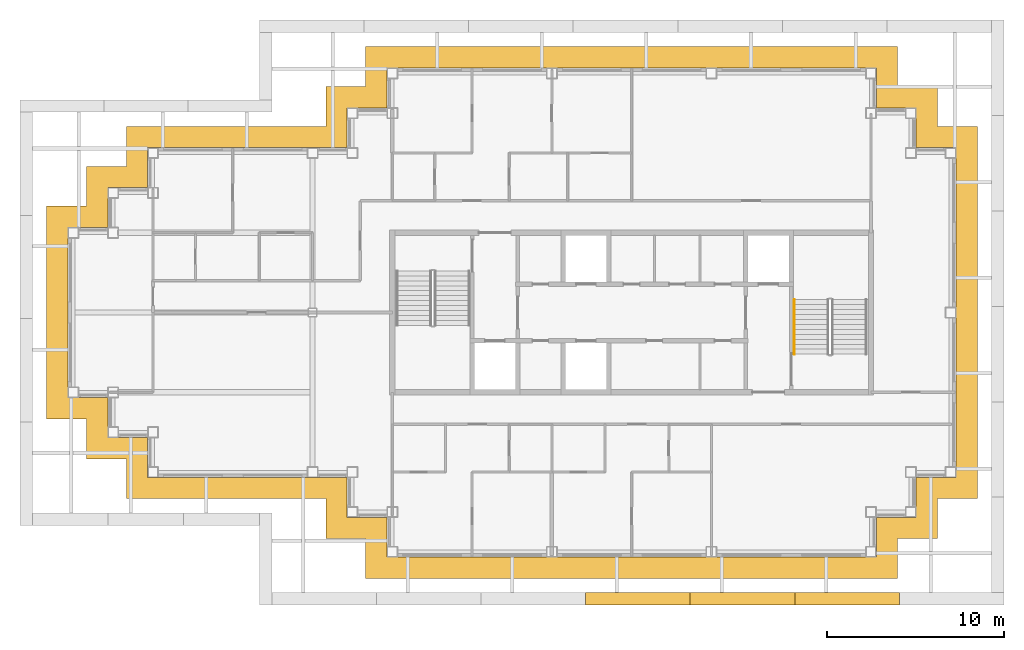
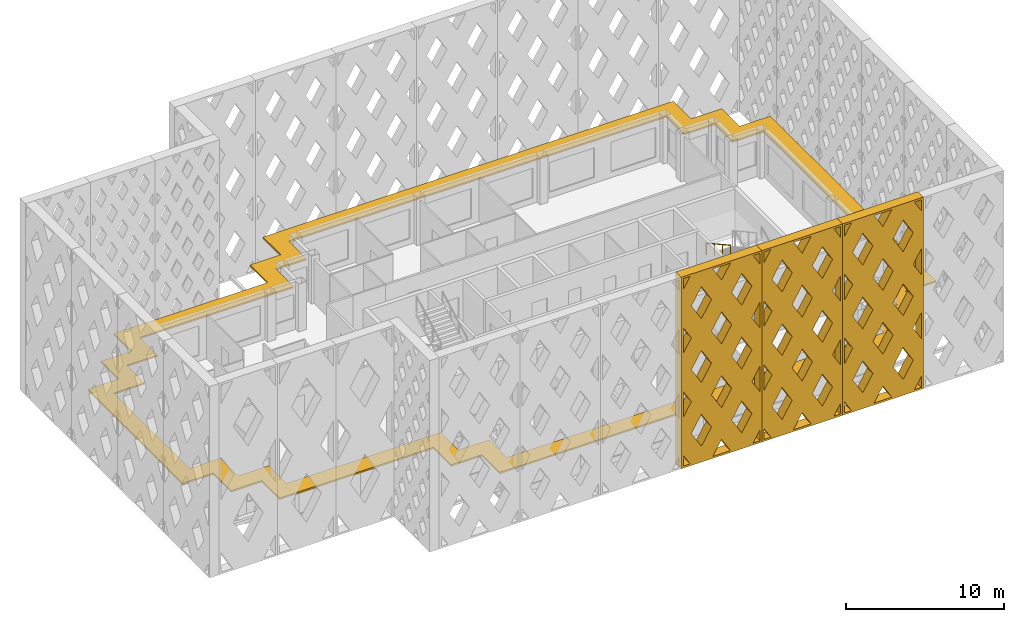
# One storey, part 12 of 15: 4 shading devices, 1 railing.
"""IFC4 building model written with IfcOpenShell, lengths in metres."""

import ifcopenshell
import ifcopenshell.guid

model = None  # the IFC model being written
_history = None  # IfcOwnerHistory: only IFC2X3 demands one
_inside = {}  # id of a spatial element -> (the spatial element, [elements in it])
_under = {}  # id of a project, library or spatial element -> (it, [spatial elements below it])
_declared = {}  # id of a project -> (the project, [libraries it declares])
_typed = {}  # id of a type object -> (the type object, [elements of that type])
_made_of = {}  # id of a material, layer set ... -> (it, [elements and type objects made of it])


def new_model(schema):
    """Start an empty IFC model of exactly this schema.

    Asked for "IFC4X3", IfcOpenShell would pick the latest addendum, in which some entities
    have other attributes; the version numbers below select the first issue.
    IFC2X3 requires an IfcOwnerHistory on every rooted entity: one is made here for all.
    """
    global model, _history
    if schema == "IFC4X3":
        model = ifcopenshell.file(schema_version=(4, 3, 0, 0))
    else:
        model = ifcopenshell.file(schema=schema)
    _inside.clear()
    _under.clear()
    _declared.clear()
    _typed.clear()
    _made_of.clear()
    _history = None
    if model.schema == "IFC2X3":
        org = make("IfcOrganization", Name="unknown")
        user = make(
            "IfcPersonAndOrganization",
            ThePerson=make("IfcPerson", FamilyName="unknown"),
            TheOrganization=org,
        )
        app = make(
            "IfcApplication",
            ApplicationDeveloper=org,
            Version="unknown",
            ApplicationFullName="unknown",
            ApplicationIdentifier="unknown",
        )
        _history = make(
            "IfcOwnerHistory",
            OwningUser=user,
            OwningApplication=app,
            ChangeAction="ADDED",
            CreationDate=0,
        )
    return model


def make(cls, **values):
    """One entity of the class cls with the attributes given. An attribute that is None is left unset."""
    return model.create_entity(
        cls, **{name: value for name, value in values.items() if value is not None}
    )


def rooted(cls, **values):
    """An entity with a GlobalId (a new one), such as an element, a storey or a relation."""
    return make(cls, GlobalId=ifcopenshell.guid.new(), OwnerHistory=_history, **values)


def si_unit(unit_type, name, prefix=None):
    """IfcSIUnit, for example si_unit("LENGTHUNIT", "METRE", prefix="MILLI")."""
    return make("IfcSIUnit", UnitType=unit_type, Prefix=prefix, Name=name)


def assignment(units):
    """IfcUnitAssignment: the units of a project."""
    return None if units is None else make("IfcUnitAssignment", Units=units)


def point(xyz):
    """IfcCartesianPoint."""
    return None if xyz is None else make("IfcCartesianPoint", Coordinates=xyz)


def direction(xyz):
    """IfcDirection."""
    return None if xyz is None else make("IfcDirection", DirectionRatios=xyz)


def frame(location, z_axis=None, x_axis=None):
    """IfcAxis2Placement3D, a coordinate frame: its origin and axes. An axis left out is left unset."""
    return make(
        "IfcAxis2Placement3D",
        Location=point(location),
        Axis=direction(z_axis),
        RefDirection=direction(x_axis),
    )


def frame_2d(location, x_axis=None):
    """IfcAxis2Placement2D, a coordinate frame in the plane: its origin and x axis."""
    return make(
        "IfcAxis2Placement2D", Location=point(location), RefDirection=direction(x_axis)
    )


def origin():
    """The frame at (0, 0, 0) with its axes left unset."""
    return frame((0.0, 0.0, 0.0))


def origin_2d():
    """The frame at (0, 0) in the plane with its x axis left unset."""
    return frame_2d((0.0, 0.0))


def place(relative_to, where):
    """IfcLocalPlacement: puts the frame where relative to a parent placement (None: the world)."""
    return make(
        "IfcLocalPlacement", PlacementRelTo=relative_to, RelativePlacement=where
    )


def context(
    kind, dimensions, precision=None, world=None, true_north=None, identifier=None
):
    """IfcGeometricRepresentationContext, for example the 3D "Model" context."""
    return make(
        "IfcGeometricRepresentationContext",
        ContextIdentifier=identifier,
        ContextType=kind,
        CoordinateSpaceDimension=dimensions,
        Precision=precision,
        WorldCoordinateSystem=world,
        TrueNorth=true_north,
    )


def subcontext(parent, identifier, kind, view, scale=None):
    """IfcGeometricRepresentationSubContext, for example "Body" below "Model"."""
    return make(
        "IfcGeometricRepresentationSubContext",
        ContextIdentifier=identifier,
        ContextType=kind,
        ParentContext=parent,
        TargetScale=scale,
        TargetView=view,
    )


def project(units=None, contexts=None):
    """IfcProject with its units and contexts."""
    return rooted(
        "IfcProject",
        Name="project",
        RepresentationContexts=contexts,
        UnitsInContext=assignment(units),
    )


def spatial(cls, under=None, at=None, **own):
    """A site, building, storey or space (cls), placed at a placement, below another one or the project."""
    s = rooted(cls, ObjectPlacement=at, **own)
    if under is not None:
        _under.setdefault(under.id(), (under, []))[1].append(s)
    return s


def polyline(points):
    """IfcPolyline through the points."""
    return make("IfcPolyline", Points=[point(p) for p in points])


def profile(cls, at=None, kind="AREA", **sizes):
    """A parametric profile (cls). Its sizes go by their IFC names, for example OverallWidth=200.0."""
    return make(cls, ProfileType=kind, Position=at, **sizes)


def circle(**sizes):
    """IfcCircleProfileDef."""
    return profile("IfcCircleProfileDef", **sizes)


def outline(outer, holes=None, kind="AREA"):
    """IfcArbitraryClosedProfileDef: a profile drawn as a closed curve; with holes, ...WithVoids."""
    if holes is None:
        return make("IfcArbitraryClosedProfileDef", ProfileType=kind, OuterCurve=outer)
    return make(
        "IfcArbitraryProfileDefWithVoids",
        ProfileType=kind,
        OuterCurve=outer,
        InnerCurves=holes,
    )


def extrude(swept, where, along, depth):
    """IfcExtrudedAreaSolid: the profile swept, set in the frame where, extruded along a direction by depth."""
    return make(
        "IfcExtrudedAreaSolid",
        SweptArea=swept,
        Position=where,
        ExtrudedDirection=direction(along),
        Depth=depth,
    )


def shape(context_of_items, identifier, shape_type, items):
    """IfcShapeRepresentation: the items that make up one representation, for example the "Body"."""
    return make(
        "IfcShapeRepresentation",
        ContextOfItems=context_of_items,
        RepresentationIdentifier=identifier,
        RepresentationType=shape_type,
        Items=items,
    )


def material(Name=None, Category=None):
    """IfcMaterial."""
    return make("IfcMaterial", Name=Name, Category=Category)


def layer(
    of_material, thickness, ventilated=None, Name=None, Category=None, Priority=None
):
    """IfcMaterialLayer: one layer of a wall or slab, of a material (None: an air gap)."""
    return make(
        "IfcMaterialLayer",
        Material=of_material,
        LayerThickness=thickness,
        IsVentilated=ventilated,
        Name=Name,
        Category=Category,
        Priority=Priority,
    )


def layer_set(layers, Name=None):
    """IfcMaterialLayerSet."""
    return make("IfcMaterialLayerSet", MaterialLayers=layers, LayerSetName=Name)


def made_of(thing, what):
    """Note that an element or type object is made of a material, layer set ...; save() writes the relation."""
    if what is not None:
        _made_of.setdefault(what.id(), (what, []))[1].append(thing)
    return thing


def type_object(cls, material=None, **own):
    """A type object (cls), such as IfcWallType, which elements share."""
    return made_of(rooted(cls, **own), material)


def element(
    cls,
    number,
    at=None,
    inside=None,
    cuts=None,
    type_object=None,
    material=None,
    context=None,
    identifier="Body",
    shape_type=None,
    held_by="IfcProductDefinitionShape",
    body=None,
    shapes=None,
    **own,
):
    """One element of the class cls, such as IfcWall. Its Tag is "e" and its number.

    at: its placement. inside: the storey or other place that contains it. cuts: it is an
    opening in that element (IfcRelVoidsElement). A single representation is given by context,
    identifier, shape_type and body (its items); several are given by shapes. held_by: the class
    of the entity that holds the representations. save() writes the other relations.
    """
    e = rooted(cls, Tag="e%d" % number, ObjectPlacement=at, **own)
    if body is not None:
        shapes = [shape(context, identifier, shape_type, body)]
    if shapes is not None:
        e.Representation = make(held_by, Representations=shapes)
    if inside is not None:
        _inside.setdefault(inside.id(), (inside, []))[1].append(e)
    if cuts is not None:
        rooted(
            "IfcRelVoidsElement", RelatingBuildingElement=cuts, RelatedOpeningElement=e
        )
    if type_object is not None:
        _typed.setdefault(type_object.id(), (type_object, []))[1].append(e)
    return made_of(e, material)


def aggregate(whole, parts):
    """IfcRelAggregates: a whole, such as a stair, and the parts it consists of."""
    return rooted("IfcRelAggregates", RelatingObject=whole, RelatedObjects=parts)


def save(model, path):
    """Write the relations noted so far, then the file.

    IfcRelAggregates (storeys below a building ...), IfcRelContainedInSpatialStructure (elements
    in a storey), IfcRelDefinesByType, IfcRelAssociatesMaterial and IfcRelDeclares: one each for
    every whole, place, type object, material and project.
    """
    for whole, parts in _under.values():
        aggregate(whole, parts)
    for where, things in _inside.values():
        rooted(
            "IfcRelContainedInSpatialStructure",
            RelatedElements=things,
            RelatingStructure=where,
        )
    for kind, things in _typed.values():
        rooted("IfcRelDefinesByType", RelatedObjects=things, RelatingType=kind)
    for what, things in _made_of.values():
        rooted("IfcRelAssociatesMaterial", RelatedObjects=things, RelatingMaterial=what)
    for by, libraries in _declared.values():
        rooted("IfcRelDeclares", RelatingContext=by, RelatedDefinitions=libraries)
    model.write(path)


model = new_model("IFC4")

# Units and contexts
model_context = context("Model", 3, precision=1e-05, world=origin(), true_north=direction((0.0, 1.0)))
body_context = subcontext(model_context, "Body", "Model", "MODEL_VIEW")
ifc_project = project(units=[si_unit("LENGTHUNIT", "METRE"), si_unit("AREAUNIT", "SQUARE_METRE"), si_unit("VOLUMEUNIT", "CUBIC_METRE"), si_unit("PLANEANGLEUNIT", "RADIAN"), si_unit("MASSUNIT", "GRAM", prefix="KILO")], contexts=[model_context])

# Site, building, storey
site_placement = place(None, origin())
site = spatial("IfcSite", under=ifc_project, at=site_placement, CompositionType="ELEMENT")
building_placement = place(site_placement, origin())
building = spatial("IfcBuilding", under=site, at=building_placement, Name="Caravel Reach Hotel and Residences", CompositionType="ELEMENT")
storey_placement = place(building_placement, frame((0.0, 0.0, 252.699951171875)))
storey = spatial("IfcBuildingStorey", under=building, at=storey_placement, Name="L64", CompositionType="ELEMENT", Elevation=252.699951171875)

# Shading devices
ifc_material_1 = material(Name="Black powder-coated aluminium", Category="aluminium")
shading_device_type_1 = type_object("IfcShadingDeviceType", Name="Diamond lattice screen panel 5900 x 14800", PredefinedType="USERDEFINED", material=ifc_material_1)
shading_device_1_placement = place(storey_placement, frame((28.89990234375, 11.199951171875, 0.0), z_axis=(0.0, -1.0, 0.0), x_axis=(1.0, 0.0, 0.0)))
element("IfcShadingDevice", 1, at=shading_device_1_placement, inside=storey, type_object=shading_device_type_1, Name="Lattice screen L64-L67 3.4", ObjectType="SCREEN", PredefinedType="USERDEFINED", context=body_context, shape_type="SweptSolid", body=[
    extrude(outline(polyline([(0.0, 0.0), (5.89990234375, 0.0), (5.89990234375, 14.800048828125), (0.0, 14.800048828125), (0.0, 0.0)]), holes=[polyline([(0.64990234375, 0.14990234375), (0.14990234375, 0.986083984375), (0.14990234375, 0.14990234375), (0.64990234375, 0.14990234375)]), polyline([(0.739501953125, 4.933349609375), (0.14990234375, 5.91943359375), (0.14990234375, 3.947265625), (0.739501953125, 4.933349609375)]), polyline([(0.739501953125, 9.86669921875), (0.14990234375, 10.852783203125), (0.14990234375, 8.880615234375), (0.739501953125, 9.86669921875)]), polyline([(0.14990234375, 13.81396484375), (0.64990234375, 14.64990234375), (0.14990234375, 14.64990234375), (0.14990234375, 13.81396484375)]), polyline([(1.47509765625, 3.70361328125), (0.7353515625, 2.466552734375), (1.47509765625, 1.229736328125), (2.214599609375, 2.466552734375), (1.47509765625, 3.70361328125)]), polyline([(1.47509765625, 8.636962890625), (0.7353515625, 7.39990234375), (1.47509765625, 6.1630859375), (2.214599609375, 7.39990234375), (1.47509765625, 8.636962890625)]), polyline([(1.47509765625, 13.570068359375), (0.7353515625, 12.333251953125), (1.47509765625, 11.096435546875), (2.214599609375, 12.333251953125), (1.47509765625, 13.570068359375)]), polyline([(2.949951171875, 1.23681640625), (2.300048828125, 0.14990234375), (3.599853515625, 0.14990234375), (2.949951171875, 1.23681640625)]), polyline([(2.949951171875, 6.170166015625), (2.21044921875, 4.933349609375), (2.949951171875, 3.696533203125), (3.689697265625, 4.933349609375), (2.949951171875, 6.170166015625)]), polyline([(2.949951171875, 11.103515625), (2.21044921875, 9.86669921875), (2.949951171875, 8.6298828125), (3.689697265625, 9.86669921875), (2.949951171875, 11.103515625)]), polyline([(2.949951171875, 13.563232421875), (3.599853515625, 14.64990234375), (2.300048828125, 14.64990234375), (2.949951171875, 13.563232421875)]), polyline([(4.425048828125, 3.70361328125), (3.685302734375, 2.466552734375), (4.425048828125, 1.229736328125), (5.16455078125, 2.466552734375), (4.425048828125, 3.70361328125)]), polyline([(4.425048828125, 8.636962890625), (3.685302734375, 7.39990234375), (4.425048828125, 6.1630859375), (5.16455078125, 7.39990234375), (4.425048828125, 8.636962890625)]), polyline([(4.425048828125, 13.570068359375), (3.685302734375, 12.333251953125), (4.425048828125, 11.096435546875), (5.16455078125, 12.333251953125), (4.425048828125, 13.570068359375)]), polyline([(5.75, 0.986083984375), (5.25, 0.14990234375), (5.75, 0.14990234375), (5.75, 0.986083984375)]), polyline([(5.160400390625, 4.933349609375), (5.75, 3.947265625), (5.75, 5.91943359375), (5.160400390625, 4.933349609375)]), polyline([(5.160400390625, 9.86669921875), (5.75, 8.880615234375), (5.75, 10.852783203125), (5.160400390625, 9.86669921875)]), polyline([(5.25, 14.64990234375), (5.75, 13.81396484375), (5.75, 14.64990234375), (5.25, 14.64990234375)])]), origin(), (0.0, 0.0, 1.0), 0.699951171875),
])
shading_device_2_placement = place(storey_placement, frame((34.800048828125, 11.199951171875, 0.0), z_axis=(0.0, -1.0, 0.0), x_axis=(1.0, 0.0, 0.0)))
element("IfcShadingDevice", 2, at=shading_device_2_placement, inside=storey, type_object=shading_device_type_1, Name="Lattice screen L64-L67 3.5", ObjectType="SCREEN", PredefinedType="USERDEFINED", context=body_context, shape_type="SweptSolid", body=[
    extrude(outline(polyline([(0.0, 0.0), (5.89990234375, 0.0), (5.89990234375, 14.800048828125), (0.0, 14.800048828125), (0.0, 0.0)]), holes=[polyline([(0.64990234375, 0.14990234375), (0.14990234375, 0.986083984375), (0.14990234375, 0.14990234375), (0.64990234375, 0.14990234375)]), polyline([(0.739501953125, 4.933349609375), (0.14990234375, 5.91943359375), (0.14990234375, 3.947265625), (0.739501953125, 4.933349609375)]), polyline([(0.739501953125, 9.86669921875), (0.14990234375, 10.852783203125), (0.14990234375, 8.880615234375), (0.739501953125, 9.86669921875)]), polyline([(0.14990234375, 13.81396484375), (0.64990234375, 14.64990234375), (0.14990234375, 14.64990234375), (0.14990234375, 13.81396484375)]), polyline([(1.47509765625, 3.70361328125), (0.7353515625, 2.466552734375), (1.47509765625, 1.229736328125), (2.214599609375, 2.466552734375), (1.47509765625, 3.70361328125)]), polyline([(1.47509765625, 8.636962890625), (0.7353515625, 7.39990234375), (1.47509765625, 6.1630859375), (2.214599609375, 7.39990234375), (1.47509765625, 8.636962890625)]), polyline([(1.47509765625, 13.570068359375), (0.7353515625, 12.333251953125), (1.47509765625, 11.096435546875), (2.214599609375, 12.333251953125), (1.47509765625, 13.570068359375)]), polyline([(2.949951171875, 1.23681640625), (2.300048828125, 0.14990234375), (3.599853515625, 0.14990234375), (2.949951171875, 1.23681640625)]), polyline([(2.949951171875, 6.170166015625), (2.21044921875, 4.933349609375), (2.949951171875, 3.696533203125), (3.689697265625, 4.933349609375), (2.949951171875, 6.170166015625)]), polyline([(2.949951171875, 11.103515625), (2.21044921875, 9.86669921875), (2.949951171875, 8.6298828125), (3.689697265625, 9.86669921875), (2.949951171875, 11.103515625)]), polyline([(2.949951171875, 13.563232421875), (3.599853515625, 14.64990234375), (2.300048828125, 14.64990234375), (2.949951171875, 13.563232421875)]), polyline([(4.425048828125, 3.70361328125), (3.685302734375, 2.466552734375), (4.425048828125, 1.229736328125), (5.16455078125, 2.466552734375), (4.425048828125, 3.70361328125)]), polyline([(4.425048828125, 8.636962890625), (3.685302734375, 7.39990234375), (4.425048828125, 6.1630859375), (5.16455078125, 7.39990234375), (4.425048828125, 8.636962890625)]), polyline([(4.425048828125, 13.570068359375), (3.685302734375, 12.333251953125), (4.425048828125, 11.096435546875), (5.16455078125, 12.333251953125), (4.425048828125, 13.570068359375)]), polyline([(5.75, 0.986083984375), (5.25, 0.14990234375), (5.75, 0.14990234375), (5.75, 0.986083984375)]), polyline([(5.160400390625, 4.933349609375), (5.75, 3.947265625), (5.75, 5.91943359375), (5.160400390625, 4.933349609375)]), polyline([(5.160400390625, 9.86669921875), (5.75, 8.880615234375), (5.75, 10.852783203125), (5.160400390625, 9.86669921875)]), polyline([(5.25, 14.64990234375), (5.75, 13.81396484375), (5.75, 14.64990234375), (5.25, 14.64990234375)])]), origin(), (0.0, 0.0, 1.0), 0.699951171875),
])
shading_device_3_placement = place(storey_placement, frame((40.699951171875, 11.199951171875, 0.0), z_axis=(0.0, -1.0, 0.0), x_axis=(1.0, 0.0, 0.0)))
element("IfcShadingDevice", 3, at=shading_device_3_placement, inside=storey, type_object=shading_device_type_1, Name="Lattice screen L64-L67 3.6", ObjectType="SCREEN", PredefinedType="USERDEFINED", context=body_context, shape_type="SweptSolid", body=[
    extrude(outline(polyline([(0.0, 0.0), (5.89990234375, 0.0), (5.89990234375, 14.800048828125), (0.0, 14.800048828125), (0.0, 0.0)]), holes=[polyline([(0.64990234375, 0.14990234375), (0.14990234375, 0.986083984375), (0.14990234375, 0.14990234375), (0.64990234375, 0.14990234375)]), polyline([(0.739501953125, 4.933349609375), (0.14990234375, 5.91943359375), (0.14990234375, 3.947265625), (0.739501953125, 4.933349609375)]), polyline([(0.739501953125, 9.86669921875), (0.14990234375, 10.852783203125), (0.14990234375, 8.880615234375), (0.739501953125, 9.86669921875)]), polyline([(0.14990234375, 13.81396484375), (0.64990234375, 14.64990234375), (0.14990234375, 14.64990234375), (0.14990234375, 13.81396484375)]), polyline([(1.47509765625, 3.70361328125), (0.7353515625, 2.466552734375), (1.47509765625, 1.229736328125), (2.214599609375, 2.466552734375), (1.47509765625, 3.70361328125)]), polyline([(1.47509765625, 8.636962890625), (0.7353515625, 7.39990234375), (1.47509765625, 6.1630859375), (2.214599609375, 7.39990234375), (1.47509765625, 8.636962890625)]), polyline([(1.47509765625, 13.570068359375), (0.7353515625, 12.333251953125), (1.47509765625, 11.096435546875), (2.214599609375, 12.333251953125), (1.47509765625, 13.570068359375)]), polyline([(2.949951171875, 1.23681640625), (2.300048828125, 0.14990234375), (3.599853515625, 0.14990234375), (2.949951171875, 1.23681640625)]), polyline([(2.949951171875, 6.170166015625), (2.21044921875, 4.933349609375), (2.949951171875, 3.696533203125), (3.689697265625, 4.933349609375), (2.949951171875, 6.170166015625)]), polyline([(2.949951171875, 11.103515625), (2.21044921875, 9.86669921875), (2.949951171875, 8.6298828125), (3.689697265625, 9.86669921875), (2.949951171875, 11.103515625)]), polyline([(2.949951171875, 13.563232421875), (3.599853515625, 14.64990234375), (2.300048828125, 14.64990234375), (2.949951171875, 13.563232421875)]), polyline([(4.425048828125, 3.70361328125), (3.685302734375, 2.466552734375), (4.425048828125, 1.229736328125), (5.16455078125, 2.466552734375), (4.425048828125, 3.70361328125)]), polyline([(4.425048828125, 8.636962890625), (3.685302734375, 7.39990234375), (4.425048828125, 6.1630859375), (5.16455078125, 7.39990234375), (4.425048828125, 8.636962890625)]), polyline([(4.425048828125, 13.570068359375), (3.685302734375, 12.333251953125), (4.425048828125, 11.096435546875), (5.16455078125, 12.333251953125), (4.425048828125, 13.570068359375)]), polyline([(5.75, 0.986083984375), (5.25, 0.14990234375), (5.75, 0.14990234375), (5.75, 0.986083984375)]), polyline([(5.160400390625, 4.933349609375), (5.75, 3.947265625), (5.75, 5.91943359375), (5.160400390625, 4.933349609375)]), polyline([(5.160400390625, 9.86669921875), (5.75, 8.880615234375), (5.75, 10.852783203125), (5.160400390625, 9.86669921875)]), polyline([(5.25, 14.64990234375), (5.75, 13.81396484375), (5.75, 14.64990234375), (5.25, 14.64990234375)])]), origin(), (0.0, 0.0, 1.0), 0.699951171875),
])

# Railing
ifc_material_2 = material(Name="Stainless steel handrail", Category="steel")
railing_type = type_object("IfcRailingType", Name="Handrail 900", PredefinedType="HANDRAIL", material=ifc_material_2)
railing_placement = place(storey_placement, frame((40.675048828125, 27.72998046875, 2.004150390625)))
element("IfcRailing", 4, at=railing_placement, inside=storey, type_object=railing_type, Name="L64 ST-B stair handrail 2", PredefinedType="HANDRAIL", context=body_context, shape_type="SweptSolid", body=[
    extrude(circle(Radius=0.02392578125, at=origin_2d()), frame((0.0, 0.0, 0.8759765625), z_axis=(0.0, -0.876004717809, 0.482302534076), x_axis=(1.0, 0.0, 0.0)), (0.0, 0.0, 1.0), 3.51611328125),
    extrude(circle(Radius=0.02099609375, at=origin_2d()), origin(), (0.0, 0.0, 1.0), 0.851806640625),
    extrude(circle(Radius=0.02099609375, at=origin_2d()), frame((0.0, -1.026611328125, 0.565185546875)), (0.0, 0.0, 1.0), 0.851806640625),
    extrude(circle(Radius=0.02099609375, at=origin_2d()), frame((0.0, -2.053466796875, 1.130615234375)), (0.0, 0.0, 1.0), 0.851806640625),
    extrude(circle(Radius=0.02099609375, at=origin_2d()), frame((0.0, -3.080078125, 1.69580078125)), (0.0, 0.0, 1.0), 0.851806640625),
])

# Shading device
ifc_material_3 = material(Name="Black powder-coated aluminium", Category="aluminium")
ifc_layer = layer(ifc_material_3, 0.1201171875)
ifc_layer_set = layer_set([ifc_layer], Name="SS1 Sunshade band 1200")
shading_device_type_2 = type_object("IfcShadingDeviceType", Name="SS1 Sunshade band 1200", PredefinedType="USERDEFINED", material=ifc_layer_set)
shading_device_4_placement = place(storey_placement, frame((0.0, 0.0, 3.0400390625)))
element("IfcShadingDevice", 5, at=shading_device_4_placement, inside=storey, type_object=shading_device_type_2, Name="Sunshade L64 1", ObjectType="SUNSHADE", PredefinedType="USERDEFINED", context=body_context, shape_type="SweptSolid", body=[
    extrude(outline(polyline([(3.0, 16.5), (14.25, 16.5), (14.25, 14.25), (16.5, 14.25), (16.5, 12.0), (46.5, 12.0), (46.5, 14.25), (48.75, 14.25), (48.75, 16.5), (51.0, 16.5), (51.0, 37.5), (48.75, 37.5), (48.75, 39.75), (46.5, 39.75), (46.5, 42.0), (16.5, 42.0), (16.5, 39.75), (14.25, 39.75), (14.25, 37.5), (3.0, 37.5), (3.0, 35.25), (0.75, 35.25), (0.75, 33.0), (-1.5, 33.0), (-1.5, 21.0), (0.75, 21.0), (0.75, 18.75), (3.0, 18.75), (3.0, 16.5)]), holes=[polyline([(15.449951171875, 15.449951171875), (15.449951171875, 17.699951171875), (4.199951171875, 17.699951171875), (4.199951171875, 19.949951171875), (1.949951171875, 19.949951171875), (1.949951171875, 22.199951171875), (-0.300048828125, 22.199951171875), (-0.300048828125, 31.800048828125), (1.949951171875, 31.800048828125), (1.949951171875, 34.050048828125), (4.199951171875, 34.050048828125), (4.199951171875, 36.300048828125), (15.449951171875, 36.300048828125), (15.449951171875, 38.550048828125), (17.699951171875, 38.550048828125), (17.699951171875, 40.800048828125), (45.300048828125, 40.800048828125), (45.300048828125, 38.550048828125), (47.550048828125, 38.550048828125), (47.550048828125, 36.300048828125), (49.800048828125, 36.300048828125), (49.800048828125, 17.699951171875), (47.550048828125, 17.699951171875), (47.550048828125, 15.449951171875), (45.300048828125, 15.449951171875), (45.300048828125, 13.199951171875), (17.699951171875, 13.199951171875), (17.699951171875, 15.449951171875), (15.449951171875, 15.449951171875)])]), origin(), (0.0, 0.0, 1.0), 0.1201171875),
])

save(model, "model.ifc")
